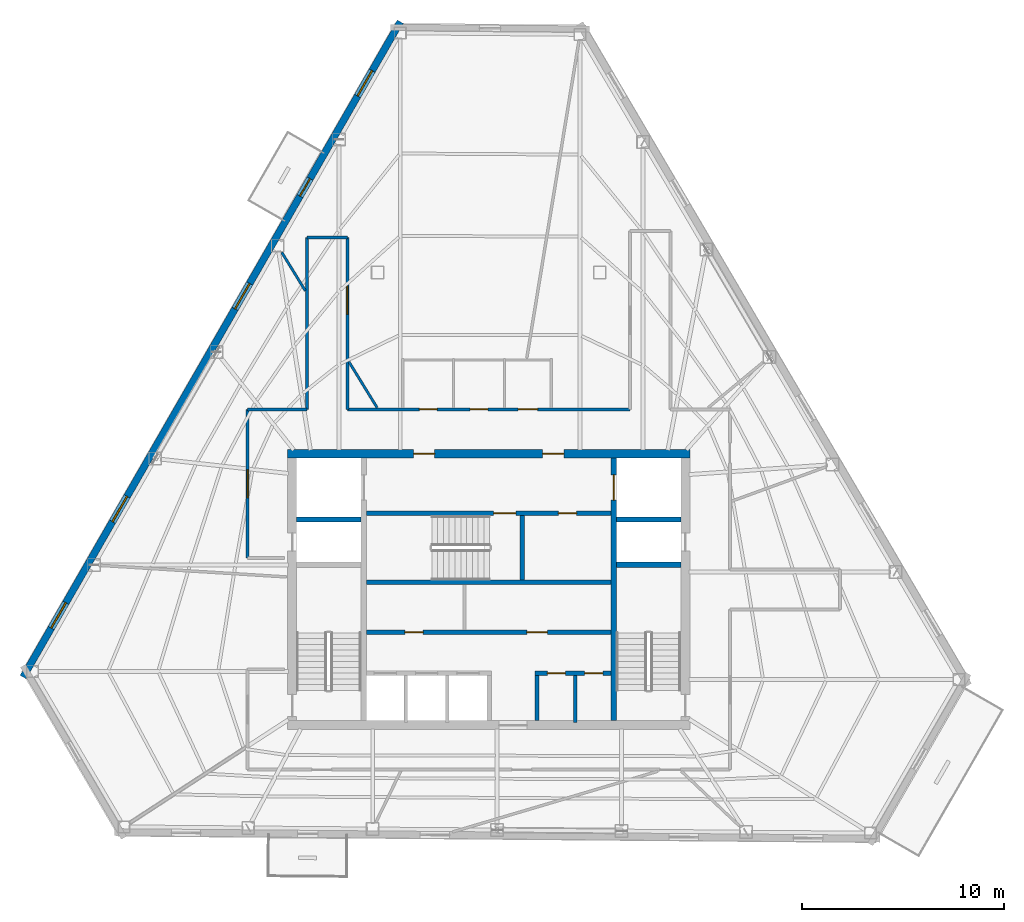
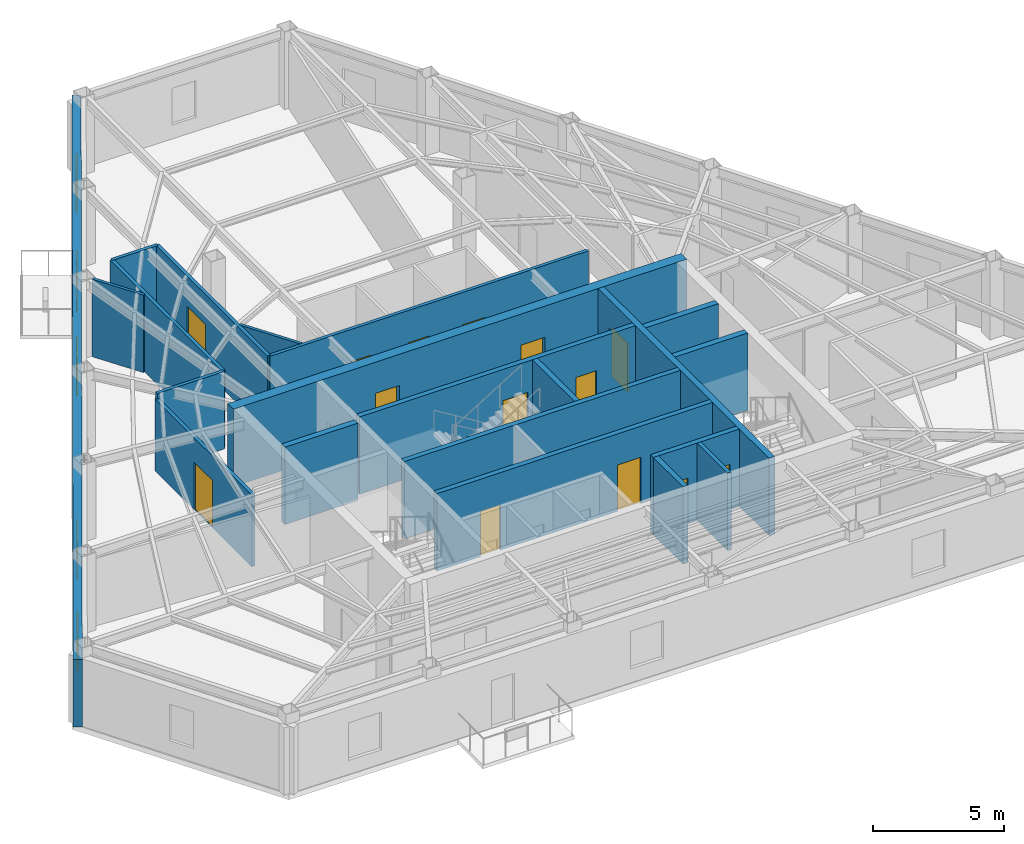
# One storey, part 8 of 12: 21 walls, 15 doors, 4 windows, 19 openings.
"""IFC4 building model written with IfcOpenShell, lengths in metres."""

from ifc_helpers import new_model, si_unit, direction, frame, frame_2d, origin, place, context, subcontext, project, spatial, rectangle, extrude, material, layer, layer_set, type_object, element, fill, save


model = new_model("IFC4")

# Units and contexts
model_context = context("Model", 3, precision=1e-05, world=origin(), true_north=direction((0.0, 1.0)))
body_context = subcontext(model_context, "Body", "Model", "MODEL_VIEW")
ifc_project = project(units=[si_unit("LENGTHUNIT", "METRE"), si_unit("AREAUNIT", "SQUARE_METRE"), si_unit("VOLUMEUNIT", "CUBIC_METRE"), si_unit("PLANEANGLEUNIT", "RADIAN"), si_unit("MASSUNIT", "GRAM", prefix="KILO")], contexts=[model_context])

# Site, building, storey
site_placement = place(None, origin())
site = spatial("IfcSite", under=ifc_project, at=site_placement, CompositionType="ELEMENT")
building_placement = place(site_placement, origin())
building = spatial("IfcBuilding", under=site, at=building_placement, Name="Kavelnor Concourse Tower", CompositionType="ELEMENT")
storey_placement = place(building_placement, frame((0.0, 0.0, 191.949951171875)))
storey = spatial("IfcBuildingStorey", under=building, at=storey_placement, Name="L48", CompositionType="ELEMENT", Elevation=191.949951171875)

# Wall, openings, doors
ifc_material_1 = material(Name="Concrete C50/60", Category="concrete")
ifc_layer_1 = layer(ifc_material_1, 0.43994140625, Name="Concrete C50/60")
ifc_layer_set_1 = layer_set([ifc_layer_1], Name="Concrete C50/60")
wall_type_1 = type_object("IfcWallType", Name="WL-CORE-Z3-440", PredefinedType="SOLIDWALL", material=ifc_layer_set_1)
wall_1_placement = place(storey_placement, frame((28.0400390625, 22.820068359375, 0.0), z_axis=(0.0, 0.0, 1.0), x_axis=(1.0, 0.0, 0.0)))
wall_1 = element("IfcWall", 1, at=wall_1_placement, inside=storey, type_object=wall_type_1, Name="L48 Central Core North Shear Wall", PredefinedType="SOLIDWALL", context=body_context, shape_type="SweptSolid", body=[
    extrude(rectangle(XDim=19.919921875, YDim=0.43994140625, at=frame_2d((9.9599609375, 0.0))), origin(), (0.0, 0.0, 1.0), 3.60009765625),
])
opening_1_placement = place(wall_1_placement, frame((6.235107421875, 0.0, 0.0)))
opening_1 = element("IfcOpeningElement", 2, at=opening_1_placement, cuts=wall_1, Name="Opening FD-105", PredefinedType="OPENING", context=body_context, shape_type="SweptSolid", body=[
    extrude(rectangle(XDim=1.050048828125, YDim=2.14990234375, at=frame_2d((0.52490234375, 1.074951171875))), frame((0.0, 0.22998046875, 0.0), z_axis=(0.0, -1.0, 0.0), x_axis=(1.0, 0.0, 0.0)), (0.0, 0.0, 1.0), 0.4599609375),
])
opening_2_placement = place(wall_1_placement, frame((12.635009765625, 0.0, 0.0)))
opening_2 = element("IfcOpeningElement", 3, at=opening_2_placement, cuts=wall_1, Name="Opening FD-105", PredefinedType="OPENING", context=body_context, shape_type="SweptSolid", body=[
    extrude(rectangle(XDim=1.050048828125, YDim=2.14990234375, at=frame_2d((0.52490234375, 1.074951171875))), frame((0.0, 0.22998046875, 0.0), z_axis=(0.0, -1.0, 0.0), x_axis=(1.0, 0.0, 0.0)), (0.0, 0.0, 1.0), 0.4599609375),
])
ifc_material_2 = material(Name="Steel Grade 350", Category="steel")
door_type_1 = type_object("IfcDoorType", Name="DR-LOBBY-FIRE-1050", OperationType="NOTDEFINED", PredefinedType="DOOR", material=ifc_material_2)
door_1_placement = place(opening_1_placement, origin())
door_1 = element("IfcDoor", 4, at=door_1_placement, inside=storey, type_object=door_type_1, Name="L48 Emergency Lift Lobby West Door", OperationType="SINGLE_SWING_LEFT", OverallHeight=2.14990234375, OverallWidth=1.050048828125, PredefinedType="DOOR", context=body_context, shape_type="SweptSolid", body=[
    extrude(rectangle(XDim=1.050048828125, YDim=2.14990234375, at=frame_2d((0.52490234375, 1.074951171875))), frame((0.0, 0.02490234375, 0.0), z_axis=(0.0, -1.0, 0.0), x_axis=(1.0, 0.0, 0.0)), (0.0, 0.0, 1.0), 0.050048828125),
])
fill(opening_1, door_1)
door_2_placement = place(opening_2_placement, origin())
door_2 = element("IfcDoor", 5, at=door_2_placement, inside=storey, type_object=door_type_1, Name="L48 Emergency Lift Lobby East Door", OperationType="SINGLE_SWING_RIGHT", OverallHeight=2.14990234375, OverallWidth=1.050048828125, PredefinedType="DOOR", context=body_context, shape_type="SweptSolid", body=[
    extrude(rectangle(XDim=1.050048828125, YDim=2.14990234375, at=frame_2d((0.52490234375, 1.074951171875))), frame((0.0, 0.02490234375, 0.0), z_axis=(0.0, -1.0, 0.0), x_axis=(1.0, 0.0, 0.0)), (0.0, 0.0, 1.0), 0.050048828125),
])
fill(opening_2, door_2)

# Wall, openings, door, windows
ifc_material_3 = material(Name="Red-ochre clay face brick masonry", Category="masonry")
ifc_layer_2 = layer(ifc_material_3, 0.35009765625, Name="Red-ochre clay face brick masonry")
ifc_layer_set_2 = layer_set([ifc_layer_2], Name="Red-ochre clay face brick masonry")
wall_type_2 = type_object("IfcWallType", Name="WL-EXT-RED-BRICK-PIER-350", PredefinedType="STANDARD", material=ifc_layer_set_2)
wall_2_placement = place(storey_placement, frame((14.93994140625, 11.762939453125, 0.0), z_axis=(0.0, 0.0, 1.0), x_axis=(0.498943522518, 0.866634502739, 0.0)))
wall_2 = element("IfcWall", 6, at=wall_2_placement, inside=storey, type_object=wall_type_2, Name="L48 Exterior Brick Facade Wall E1", PredefinedType="STANDARD", context=body_context, shape_type="SweptSolid", body=[
    extrude(rectangle(XDim=37.4453125, YDim=0.35009765625, at=frame_2d((18.72265625, 0.0))), origin(), (0.0, 0.0, 1.0), 3.132080078125),
])
opening_3_placement = place(wall_2_placement, frame((27.48388671875, 0.0, 0.0)))
opening_3 = element("IfcOpeningElement", 7, at=opening_3_placement, cuts=wall_2, Name="Opening BD-100", PredefinedType="OPENING", context=body_context, shape_type="SweptSolid", body=[
    extrude(rectangle(XDim=1.0, YDim=2.199951171875, at=frame_2d((0.5, 1.10009765625))), frame((0.0, 0.18505859375, 0.0), z_axis=(0.0, -1.0, 0.0), x_axis=(1.0, 0.0, 0.0)), (0.0, 0.0, 1.0), 0.3701171875),
])
opening_4_placement = place(wall_2_placement, frame((33.19970703125, 0.0, 0.64990234375)))
opening_4 = element("IfcOpeningElement", 8, at=opening_4_placement, cuts=wall_2, Name="Opening W-03", PredefinedType="OPENING", context=body_context, shape_type="SweptSolid", body=[
    extrude(rectangle(XDim=1.449951171875, YDim=1.75, at=frame_2d((0.72509765625, 0.875))), frame((0.0, 0.18505859375, 0.0), z_axis=(0.0, -1.0, 0.0), x_axis=(1.0, 0.0, 0.0)), (0.0, 0.0, 1.0), 0.3701171875),
])
opening_5_placement = place(wall_2_placement, frame((21.03759765625, 0.0, 0.64990234375)))
opening_5 = element("IfcOpeningElement", 9, at=opening_5_placement, cuts=wall_2, Name="Opening W-03", PredefinedType="OPENING", context=body_context, shape_type="SweptSolid", body=[
    extrude(rectangle(XDim=1.449951171875, YDim=1.75, at=frame_2d((0.72509765625, 0.875))), frame((0.0, 0.18505859375, 0.0), z_axis=(0.0, -1.0, 0.0), x_axis=(1.0, 0.0, 0.0)), (0.0, 0.0, 1.0), 0.3701171875),
])
opening_6_placement = place(wall_2_placement, frame((8.87548828125, 0.0, 0.64990234375)))
opening_6 = element("IfcOpeningElement", 10, at=opening_6_placement, cuts=wall_2, Name="Opening W-03", PredefinedType="OPENING", context=body_context, shape_type="SweptSolid", body=[
    extrude(rectangle(XDim=1.449951171875, YDim=1.75, at=frame_2d((0.72509765625, 0.875))), frame((0.0, 0.18505859375, 0.0), z_axis=(0.0, -1.0, 0.0), x_axis=(1.0, 0.0, 0.0)), (0.0, 0.0, 1.0), 0.3701171875),
])
opening_7_placement = place(wall_2_placement, frame((2.794677734375, 0.0, 0.64990234375)))
opening_7 = element("IfcOpeningElement", 11, at=opening_7_placement, cuts=wall_2, Name="Opening W-03", PredefinedType="OPENING", context=body_context, shape_type="SweptSolid", body=[
    extrude(rectangle(XDim=1.449951171875, YDim=1.75, at=frame_2d((0.72509765625, 0.875))), frame((0.0, 0.18505859375, 0.0), z_axis=(0.0, -1.0, 0.0), x_axis=(1.0, 0.0, 0.0)), (0.0, 0.0, 1.0), 0.3701171875),
])
ifc_material_4 = material(Name="Anodised aluminium 6063-T6", Category="aluminium")
door_type_2 = type_object("IfcDoorType", Name="DR-BALCONY-EXT-1000", OperationType="NOTDEFINED", PredefinedType="DOOR", material=ifc_material_4)
door_3_placement = place(opening_3_placement, origin())
door_3 = element("IfcDoor", 12, at=door_3_placement, inside=storey, type_object=door_type_2, Name="L48 Tree Balcony 1 Glazed Door", OperationType="SINGLE_SWING_LEFT", OverallHeight=2.199951171875, OverallWidth=1.0, PredefinedType="DOOR", context=body_context, shape_type="SweptSolid", body=[
    extrude(rectangle(XDim=1.0, YDim=2.199951171875, at=frame_2d((0.5, 1.10009765625))), frame((0.0, 0.02490234375, 0.0), z_axis=(0.0, -1.0, 0.0), x_axis=(1.0, 0.0, 0.0)), (0.0, 0.0, 1.0), 0.050048828125),
])
fill(opening_3, door_3)
ifc_material_5 = material(Name="Double low-E argon insulated glazing", Category="glass")
window_type = type_object("IfcWindowType", Name="WIN-PIER-Z3-1500", PartitioningType="SINGLE_PANEL", PredefinedType="WINDOW", material=ifc_material_5)
window_1_placement = place(opening_4_placement, origin())
window_1 = element("IfcWindow", 13, at=window_1_placement, inside=storey, type_object=window_type, Name="L48 Deep-Set Brick Pier Window F0-B0", OverallHeight=1.75, OverallWidth=1.449951171875, PartitioningType="SINGLE_PANEL", PredefinedType="WINDOW", context=body_context, shape_type="SweptSolid", body=[
    extrude(rectangle(XDim=1.449951171875, YDim=1.75, at=frame_2d((0.72509765625, 0.875))), frame((0.0, 0.030029296875, 0.0), z_axis=(0.0, -1.0, 0.0), x_axis=(1.0, 0.0, 0.0)), (0.0, 0.0, 1.0), 0.06005859375),
])
fill(opening_4, window_1)
window_2_placement = place(opening_5_placement, origin())
window_2 = element("IfcWindow", 14, at=window_2_placement, inside=storey, type_object=window_type, Name="L48 Deep-Set Brick Pier Window F0-B2", OverallHeight=1.75, OverallWidth=1.449951171875, PartitioningType="SINGLE_PANEL", PredefinedType="WINDOW", context=body_context, shape_type="SweptSolid", body=[
    extrude(rectangle(XDim=1.449951171875, YDim=1.75, at=frame_2d((0.72509765625, 0.875))), frame((0.0, 0.030029296875, 0.0), z_axis=(0.0, -1.0, 0.0), x_axis=(1.0, 0.0, 0.0)), (0.0, 0.0, 1.0), 0.06005859375),
])
fill(opening_5, window_2)
window_3_placement = place(opening_6_placement, origin())
window_3 = element("IfcWindow", 15, at=window_3_placement, inside=storey, type_object=window_type, Name="L48 Deep-Set Brick Pier Window F0-B4", OverallHeight=1.75, OverallWidth=1.449951171875, PartitioningType="SINGLE_PANEL", PredefinedType="WINDOW", context=body_context, shape_type="SweptSolid", body=[
    extrude(rectangle(XDim=1.449951171875, YDim=1.75, at=frame_2d((0.72509765625, 0.875))), frame((0.0, 0.030029296875, 0.0), z_axis=(0.0, -1.0, 0.0), x_axis=(1.0, 0.0, 0.0)), (0.0, 0.0, 1.0), 0.06005859375),
])
fill(opening_6, window_3)
window_4_placement = place(opening_7_placement, origin())
window_4 = element("IfcWindow", 16, at=window_4_placement, inside=storey, type_object=window_type, Name="L48 Deep-Set Brick Pier Window F0-B5", OverallHeight=1.75, OverallWidth=1.449951171875, PartitioningType="SINGLE_PANEL", PredefinedType="WINDOW", context=body_context, shape_type="SweptSolid", body=[
    extrude(rectangle(XDim=1.449951171875, YDim=1.75, at=frame_2d((0.72509765625, 0.875))), frame((0.0, 0.030029296875, 0.0), z_axis=(0.0, -1.0, 0.0), x_axis=(1.0, 0.0, 0.0)), (0.0, 0.0, 1.0), 0.06005859375),
])
fill(opening_7, window_4)

# Wall, opening, door
ifc_material_6 = material(Name="Gypsum plasterboard on light-gauge steel studs", Category="steel")
ifc_layer_3 = layer(ifc_material_6, 0.14501953125, Name="Gypsum plasterboard on light-gauge steel studs")
ifc_layer_set_3 = layer_set([ifc_layer_3], Name="Gypsum plasterboard on light-gauge steel studs")
wall_type_3 = type_object("IfcWallType", Name="WL-INT-CORR-145", PredefinedType="PARTITIONING", material=ifc_layer_set_3)
wall_3_placement = place(storey_placement, frame((26.06005859375, 17.64990234375, 0.0), z_axis=(0.0, 0.0, 1.0), x_axis=(0.0, 1.0, 0.0)))
wall_3 = element("IfcWall", 17, at=wall_3_placement, inside=storey, type_object=wall_type_3, Name="L48 Corridor Wall WL-L48-CR-02", PredefinedType="PARTITIONING", context=body_context, shape_type="SweptSolid", body=[
    extrude(rectangle(XDim=7.3701171875, YDim=0.14501953125, at=frame_2d((3.68505859375, 0.0))), origin(), (0.0, 0.0, 1.0), 3.339111328125),
])
opening_8_placement = place(wall_3_placement, frame((2.985107421875, 0.0, 0.0)))
opening_8 = element("IfcOpeningElement", 18, at=opening_8_placement, cuts=wall_3, Name="Opening SD-140", PredefinedType="OPENING", context=body_context, shape_type="SweptSolid", body=[
    extrude(rectangle(XDim=1.39990234375, YDim=2.199951171875, at=frame_2d((0.699951171875, 1.10009765625))), frame((0.0, 0.08251953125, 0.0), z_axis=(0.0, -1.0, 0.0), x_axis=(1.0, 0.0, 0.0)), (0.0, 0.0, 1.0), 0.1650390625),
])
ifc_material_7 = material(Name="Solid-core hardwood timber", Category="wood")
door_type_3 = type_object("IfcDoorType", Name="DR-SUITE-ENTRY-1400", OperationType="NOTDEFINED", PredefinedType="DOOR", material=ifc_material_7)
door_4_placement = place(opening_8_placement, origin())
door_4 = element("IfcDoor", 19, at=door_4_placement, inside=storey, type_object=door_type_3, Name="L48 Building Staff Breakroom 04 Door", OperationType="SINGLE_SWING_LEFT", OverallHeight=2.199951171875, OverallWidth=1.39990234375, PredefinedType="DOOR", context=body_context, shape_type="SweptSolid", body=[
    extrude(rectangle(XDim=1.39990234375, YDim=2.199951171875, at=frame_2d((0.699951171875, 1.10009765625))), frame((0.0, 0.02490234375, 0.0), z_axis=(0.0, -1.0, 0.0), x_axis=(1.0, 0.0, 0.0)), (0.0, 0.0, 1.0), 0.050048828125),
])
fill(opening_8, door_4)

# Walls
wall_4_placement = place(storey_placement, frame((26.06005859375, 25.02001953125, 0.0), z_axis=(0.0, 0.0, 1.0), x_axis=(1.0, 0.0, 0.0)))
element("IfcWall", 20, at=wall_4_placement, inside=storey, type_object=wall_type_3, Name="L48 Corridor Wall WL-L48-CR-03", PredefinedType="PARTITIONING", context=body_context, shape_type="SweptSolid", body=[
    extrude(rectangle(XDim=2.93994140625, YDim=0.14501953125, at=frame_2d((1.469970703125, 0.0))), origin(), (0.0, 0.0, 1.0), 3.60009765625),
])
wall_5_placement = place(storey_placement, frame((29.0, 25.02001953125, 0.0), z_axis=(0.0, 0.0, 1.0), x_axis=(0.0, 1.0, 0.0)))
element("IfcWall", 21, at=wall_5_placement, inside=storey, type_object=wall_type_3, Name="L48 Corridor Wall WL-L48-CR-04", PredefinedType="PARTITIONING", context=body_context, shape_type="SweptSolid", body=[
    extrude(rectangle(XDim=8.50537109375, YDim=0.14501953125, at=frame_2d((4.252685546875, 0.0))), origin(), (0.0, 0.0, 1.0), 3.60009765625),
])
wall_6_placement = place(storey_placement, frame((29.0, 33.525390625, 0.0), z_axis=(0.0, 0.0, 1.0), x_axis=(1.0, 0.0, 0.0)))
element("IfcWall", 22, at=wall_6_placement, inside=storey, type_object=wall_type_3, Name="L48 Corridor Wall WL-L48-CR-05", PredefinedType="PARTITIONING", context=body_context, shape_type="SweptSolid", body=[
    extrude(rectangle(XDim=2.0, YDim=0.14501953125, at=frame_2d((1.0, 0.0))), origin(), (0.0, 0.0, 1.0), 3.60009765625),
])

# Wall, opening, door
wall_7_placement = place(storey_placement, frame((31.0, 33.525390625, 0.0), z_axis=(0.0, 0.0, 1.0), x_axis=(0.0, -1.0, 0.0)))
wall_7 = element("IfcWall", 23, at=wall_7_placement, inside=storey, type_object=wall_type_3, Name="L48 Corridor Wall WL-L48-CR-06", PredefinedType="PARTITIONING", context=body_context, shape_type="SweptSolid", body=[
    extrude(rectangle(XDim=8.50537109375, YDim=0.14501953125, at=frame_2d((4.252685546875, 0.0))), origin(), (0.0, 0.0, 1.0), 3.60009765625),
])
opening_9_placement = place(wall_7_placement, frame((2.401611328125, 0.0, 0.0)))
opening_9 = element("IfcOpeningElement", 24, at=opening_9_placement, cuts=wall_7, Name="Opening SD-140", PredefinedType="OPENING", context=body_context, shape_type="SweptSolid", body=[
    extrude(rectangle(XDim=1.39990234375, YDim=2.199951171875, at=frame_2d((0.699951171875, 1.10009765625))), frame((0.0, 0.08251953125, 0.0), z_axis=(0.0, -1.0, 0.0), x_axis=(1.0, 0.0, 0.0)), (0.0, 0.0, 1.0), 0.1650390625),
])
door_5_placement = place(opening_9_placement, origin())
door_5 = element("IfcDoor", 25, at=door_5_placement, inside=storey, type_object=door_type_3, Name="L48 Tenant Bookstore Retail Shop 03 Door", OperationType="SINGLE_SWING_RIGHT", OverallHeight=2.199951171875, OverallWidth=1.39990234375, PredefinedType="DOOR", context=body_context, shape_type="SweptSolid", body=[
    extrude(rectangle(XDim=1.39990234375, YDim=2.199951171875, at=frame_2d((0.699951171875, 1.10009765625))), frame((0.0, 0.02490234375, 0.0), z_axis=(0.0, -1.0, 0.0), x_axis=(1.0, 0.0, 0.0)), (0.0, 0.0, 1.0), 0.050048828125),
])
fill(opening_9, door_5)

# Wall, openings, doors
wall_8_placement = place(storey_placement, frame((31.0, 25.02001953125, 0.0), z_axis=(0.0, 0.0, 1.0), x_axis=(1.0, 0.0, 0.0)))
wall_8 = element("IfcWall", 26, at=wall_8_placement, inside=storey, type_object=wall_type_3, Name="L48 Corridor Wall WL-L48-CR-07", PredefinedType="PARTITIONING", context=body_context, shape_type="SweptSolid", body=[
    extrude(rectangle(XDim=14.0, YDim=0.14501953125, at=frame_2d((7.0, 0.0))), origin(), (0.0, 0.0, 1.0), 3.60009765625),
])
opening_10_placement = place(wall_8_placement, frame((3.56005859375, 0.0, 0.0)))
opening_10 = element("IfcOpeningElement", 27, at=opening_10_placement, cuts=wall_8, Name="Opening WD-088", PredefinedType="OPENING", context=body_context, shape_type="SweptSolid", body=[
    extrude(rectangle(XDim=0.8798828125, YDim=2.10009765625, at=frame_2d((0.43994140625, 1.050048828125))), frame((0.0, 0.08251953125, 0.0), z_axis=(0.0, -1.0, 0.0), x_axis=(1.0, 0.0, 0.0)), (0.0, 0.0, 1.0), 0.1650390625),
])
opening_11_placement = place(wall_8_placement, frame((6.080078125, 0.0, 0.0)))
opening_11 = element("IfcOpeningElement", 28, at=opening_11_placement, cuts=wall_8, Name="Opening WD-088", PredefinedType="OPENING", context=body_context, shape_type="SweptSolid", body=[
    extrude(rectangle(XDim=0.8798828125, YDim=2.10009765625, at=frame_2d((0.43994140625, 1.050048828125))), frame((0.0, 0.08251953125, 0.0), z_axis=(0.0, -1.0, 0.0), x_axis=(1.0, 0.0, 0.0)), (0.0, 0.0, 1.0), 0.1650390625),
])
opening_12_placement = place(wall_8_placement, frame((8.4599609375, 0.0, 0.0)))
opening_12 = element("IfcOpeningElement", 29, at=opening_12_placement, cuts=wall_8, Name="Opening WD-096", PredefinedType="OPENING", context=body_context, shape_type="SweptSolid", body=[
    extrude(rectangle(XDim=0.9599609375, YDim=2.10009765625, at=frame_2d((0.47998046875, 1.050048828125))), frame((0.0, 0.08251953125, 0.0), z_axis=(0.0, -1.0, 0.0), x_axis=(1.0, 0.0, 0.0)), (0.0, 0.0, 1.0), 0.1650390625),
])
door_type_4 = type_object("IfcDoorType", Name="DR-WC-ACC-960", OperationType="NOTDEFINED", PredefinedType="DOOR", material=ifc_material_7)
door_6_placement = place(opening_12_placement, origin())
door_6 = element("IfcDoor", 30, at=door_6_placement, inside=storey, type_object=door_type_4, Name="L48 Accessible WC Door", OperationType="SINGLE_SWING_RIGHT", OverallHeight=2.10009765625, OverallWidth=0.9599609375, PredefinedType="DOOR", context=body_context, shape_type="SweptSolid", body=[
    extrude(rectangle(XDim=0.9599609375, YDim=2.10009765625, at=frame_2d((0.47998046875, 1.050048828125))), frame((0.0, 0.02490234375, 0.0), z_axis=(0.0, -1.0, 0.0), x_axis=(1.0, 0.0, 0.0)), (0.0, 0.0, 1.0), 0.050048828125),
])
fill(opening_12, door_6)
door_type_5 = type_object("IfcDoorType", Name="DR-WC-STD-880", OperationType="NOTDEFINED", PredefinedType="DOOR", material=ifc_material_7)
door_7_placement = place(opening_10_placement, origin())
door_7 = element("IfcDoor", 31, at=door_7_placement, inside=storey, type_object=door_type_5, Name="L48 Male WC Door", OperationType="SINGLE_SWING_RIGHT", OverallHeight=2.10009765625, OverallWidth=0.8798828125, PredefinedType="DOOR", context=body_context, shape_type="SweptSolid", body=[
    extrude(rectangle(XDim=0.8798828125, YDim=2.10009765625, at=frame_2d((0.43994140625, 1.050048828125))), frame((0.0, 0.02490234375, 0.0), z_axis=(0.0, -1.0, 0.0), x_axis=(1.0, 0.0, 0.0)), (0.0, 0.0, 1.0), 0.050048828125),
])
fill(opening_10, door_7)
door_8_placement = place(opening_11_placement, origin())
door_8 = element("IfcDoor", 32, at=door_8_placement, inside=storey, type_object=door_type_5, Name="L48 Female WC Door", OperationType="SINGLE_SWING_LEFT", OverallHeight=2.10009765625, OverallWidth=0.8798828125, PredefinedType="DOOR", context=body_context, shape_type="SweptSolid", body=[
    extrude(rectangle(XDim=0.8798828125, YDim=2.10009765625, at=frame_2d((0.43994140625, 1.050048828125))), frame((0.0, 0.02490234375, 0.0), z_axis=(0.0, -1.0, 0.0), x_axis=(1.0, 0.0, 0.0)), (0.0, 0.0, 1.0), 0.050048828125),
])
fill(opening_11, door_8)

# Walls
ifc_layer_4 = layer(ifc_material_6, 0.1650390625, Name="Gypsum plasterboard on light-gauge steel studs")
ifc_layer_set_4 = layer_set([ifc_layer_4], Name="Gypsum plasterboard on light-gauge steel studs")
wall_type_4 = type_object("IfcWallType", Name="WL-INT-FIRE-165", PredefinedType="PARTITIONING", material=ifc_layer_set_4)
wall_9_placement = place(storey_placement, frame((42.280029296875, 9.52001953125, 0.0), z_axis=(0.0, 0.0, 1.0), x_axis=(0.0, 1.0, 0.0)))
element("IfcWall", 33, at=wall_9_placement, inside=storey, type_object=wall_type_4, Name="L48 Core Support Divider", PredefinedType="PARTITIONING", context=body_context, shape_type="SweptSolid", body=[
    extrude(rectangle(XDim=2.320068359375, YDim=0.1650390625, at=frame_2d((1.16015625, 0.0))), origin(), (0.0, 0.0, 1.0), 3.60009765625),
])
ifc_layer_5 = layer(ifc_material_6, 0.125, Name="Gypsum plasterboard on light-gauge steel studs")
ifc_layer_set_5 = layer_set([ifc_layer_5], Name="Gypsum plasterboard on light-gauge steel studs")
wall_type_5 = type_object("IfcWallType", Name="WL-INT-SUITE-125", PredefinedType="PARTITIONING", material=ifc_layer_set_5)
wall_10_placement = place(storey_placement, frame((32.474609375, 25.1005859375, 0.0), z_axis=(0.0, 0.0, 1.0), x_axis=(-0.52318715373, 0.852217813808, 0.0)))
element("IfcWall", 34, at=wall_10_placement, inside=storey, type_object=wall_type_5, Name="L48 Radial Suite Partition 04", PredefinedType="PARTITIONING", context=body_context, shape_type="SweptSolid", body=[
    extrude(rectangle(XDim=2.66455078125, YDim=0.125, at=frame_2d((1.332275390625, 0.0))), origin(), (0.0, 0.0, 1.0), 3.60009765625),
])
wall_11_placement = place(storey_placement, frame((28.91943359375, 30.8916015625, 0.0), z_axis=(0.0, 0.0, 1.0), x_axis=(-0.523164171822, 0.852231922262, 0.0)))
element("IfcWall", 35, at=wall_11_placement, inside=storey, type_object=wall_type_5, Name="L48 Radial Suite Partition 04", PredefinedType="PARTITIONING", context=body_context, shape_type="SweptSolid", body=[
    extrude(rectangle(XDim=2.23388671875, YDim=0.125, at=frame_2d((1.116943359375, 0.0))), origin(), (0.0, 0.0, 1.0), 3.60009765625),
])

# Wall, openings, doors
ifc_layer_6 = layer(ifc_material_1, 0.219970703125, Name="Concrete C50/60")
ifc_layer_set_6 = layer_set([ifc_layer_6], Name="Concrete C50/60")
wall_type_6 = type_object("IfcWallType", Name="WL-SHAFT-220", PredefinedType="SOLIDWALL", material=ifc_layer_set_6)
wall_12_placement = place(storey_placement, frame((31.93994140625, 19.8701171875, 0.0), z_axis=(0.0, 0.0, 1.0), x_axis=(1.0, 0.0, 0.0)))
wall_12 = element("IfcWall", 36, at=wall_12_placement, inside=storey, type_object=wall_type_6, Name="L48 Emergency Lift Lobby South Wall", PredefinedType="SOLIDWALL", context=body_context, shape_type="SweptSolid", body=[
    extrude(rectangle(XDim=12.1201171875, YDim=0.219970703125, at=frame_2d((6.06005859375, 0.0))), origin(), (0.0, 0.0, 1.0), 3.60009765625),
])
opening_13_placement = place(wall_12_placement, frame((6.300048828125, 0.0, 0.0)))
opening_13 = element("IfcOpeningElement", 37, at=opening_13_placement, cuts=wall_12, Name="Opening FD-110", PredefinedType="OPENING", context=body_context, shape_type="SweptSolid", body=[
    extrude(rectangle(XDim=1.10009765625, YDim=2.14990234375, at=frame_2d((0.550048828125, 1.074951171875))), frame((0.0, 0.1201171875, 0.0), z_axis=(0.0, -1.0, 0.0), x_axis=(1.0, 0.0, 0.0)), (0.0, 0.0, 1.0), 0.239990234375),
])
opening_14_placement = place(wall_12_placement, frame((9.510009765625, 0.0, 0.0)))
opening_14 = element("IfcOpeningElement", 38, at=opening_14_placement, cuts=wall_12, Name="Opening FD-090", PredefinedType="OPENING", context=body_context, shape_type="SweptSolid", body=[
    extrude(rectangle(XDim=0.89990234375, YDim=2.10009765625, at=frame_2d((0.449951171875, 1.050048828125))), frame((0.0, 0.1201171875, 0.0), z_axis=(0.0, -1.0, 0.0), x_axis=(1.0, 0.0, 0.0)), (0.0, 0.0, 1.0), 0.239990234375),
])
door_type_6 = type_object("IfcDoorType", Name="DR-RISER-FIRE-900", OperationType="NOTDEFINED", PredefinedType="DOOR", material=ifc_material_2)
door_9_placement = place(opening_14_placement, origin())
door_9 = element("IfcDoor", 39, at=door_9_placement, inside=storey, type_object=door_type_6, Name="L48 Electrical Comms Door", OperationType="SINGLE_SWING_LEFT", OverallHeight=2.10009765625, OverallWidth=0.89990234375, PredefinedType="DOOR", context=body_context, shape_type="SweptSolid", body=[
    extrude(rectangle(XDim=0.89990234375, YDim=2.10009765625, at=frame_2d((0.449951171875, 1.050048828125))), frame((0.0, 0.02490234375, 0.0), z_axis=(0.0, -1.0, 0.0), x_axis=(1.0, 0.0, 0.0)), (0.0, 0.0, 1.0), 0.050048828125),
])
fill(opening_14, door_9)
door_type_7 = type_object("IfcDoorType", Name="DR-STAIR-FIRE-1100", OperationType="NOTDEFINED", PredefinedType="DOOR", material=ifc_material_2)
door_10_placement = place(opening_13_placement, origin())
door_10 = element("IfcDoor", 40, at=door_10_placement, inside=storey, type_object=door_type_7, Name="L48 Stair ST3 Fire Door", OperationType="SINGLE_SWING_LEFT", OverallHeight=2.14990234375, OverallWidth=1.10009765625, PredefinedType="DOOR", context=body_context, shape_type="SweptSolid", body=[
    extrude(rectangle(XDim=1.10009765625, YDim=2.14990234375, at=frame_2d((0.550048828125, 1.074951171875))), frame((0.0, 0.02490234375, 0.0), z_axis=(0.0, -1.0, 0.0), x_axis=(1.0, 0.0, 0.0)), (0.0, 0.0, 1.0), 0.050048828125),
])
fill(opening_13, door_10)

# Walls
wall_13_placement = place(storey_placement, frame((31.93994140625, 16.449951171875, 0.0), z_axis=(0.0, 0.0, 1.0), x_axis=(1.0, 0.0, 0.0)))
element("IfcWall", 41, at=wall_13_placement, inside=storey, type_object=wall_type_6, Name="L48 Stair ST3 South Core Wall", PredefinedType="SOLIDWALL", context=body_context, shape_type="SweptSolid", body=[
    extrude(rectangle(XDim=12.1201171875, YDim=0.219970703125, at=frame_2d((6.06005859375, 0.0))), origin(), (0.0, 0.0, 1.0), 3.60009765625),
])
wall_14_placement = place(storey_placement, frame((39.64990234375, 16.56005859375, 0.0), z_axis=(0.0, 0.0, 1.0), x_axis=(0.0, 1.0, 0.0)))
element("IfcWall", 42, at=wall_14_placement, inside=storey, type_object=wall_type_6, Name="L48 Stair ST3 East Core Wall", PredefinedType="SOLIDWALL", context=body_context, shape_type="SweptSolid", body=[
    extrude(rectangle(XDim=3.199951171875, YDim=0.219970703125, at=frame_2d((1.60009765625, 0.0))), origin(), (0.0, 0.0, 1.0), 3.60009765625),
])

# Wall, openings, doors
wall_15_placement = place(storey_placement, frame((31.93994140625, 13.989990234375, 0.0), z_axis=(0.0, 0.0, 1.0), x_axis=(1.0, 0.0, 0.0)))
wall_15 = element("IfcWall", 43, at=wall_15_placement, inside=storey, type_object=wall_type_6, Name="L48 North Lift Row Shaft Wall", PredefinedType="SOLIDWALL", context=body_context, shape_type="SweptSolid", body=[
    extrude(rectangle(XDim=12.1201171875, YDim=0.219970703125, at=frame_2d((6.06005859375, 0.0))), origin(), (0.0, 0.0, 1.0), 3.60009765625),
])
opening_15_placement = place(wall_15_placement, frame((1.909912109375, 0.0, 0.0)))
opening_15 = element("IfcOpeningElement", 44, at=opening_15_placement, cuts=wall_15, Name="Opening FD-090", PredefinedType="OPENING", context=body_context, shape_type="SweptSolid", body=[
    extrude(rectangle(XDim=0.89990234375, YDim=2.10009765625, at=frame_2d((0.449951171875, 1.050048828125))), frame((0.0, 0.1201171875, 0.0), z_axis=(0.0, -1.0, 0.0), x_axis=(1.0, 0.0, 0.0)), (0.0, 0.0, 1.0), 0.239990234375),
])
opening_16_placement = place(wall_15_placement, frame((7.949951171875, 0.0, 0.0)))
opening_16 = element("IfcOpeningElement", 45, at=opening_16_placement, cuts=wall_15, Name="Opening MD-102", PredefinedType="OPENING", context=body_context, shape_type="SweptSolid", body=[
    extrude(rectangle(XDim=1.02001953125, YDim=2.14990234375, at=frame_2d((0.510009765625, 1.074951171875))), frame((0.0, 0.1201171875, 0.0), z_axis=(0.0, -1.0, 0.0), x_axis=(1.0, 0.0, 0.0)), (0.0, 0.0, 1.0), 0.239990234375),
])
ifc_material_8 = material(Name="Acoustic glazed timber frame", Category="wood")
door_type_8 = type_object("IfcDoorType", Name="DR-MEETING-1020", OperationType="NOTDEFINED", PredefinedType="DOOR", material=ifc_material_8)
door_11_placement = place(opening_16_placement, origin())
door_11 = element("IfcDoor", 46, at=door_11_placement, inside=storey, type_object=door_type_8, Name="L48 Briefing Room Door", OperationType="SINGLE_SWING_RIGHT", OverallHeight=2.14990234375, OverallWidth=1.02001953125, PredefinedType="DOOR", context=body_context, shape_type="SweptSolid", body=[
    extrude(rectangle(XDim=1.02001953125, YDim=2.14990234375, at=frame_2d((0.510009765625, 1.074951171875))), frame((0.0, 0.02490234375, 0.0), z_axis=(0.0, -1.0, 0.0), x_axis=(1.0, 0.0, 0.0)), (0.0, 0.0, 1.0), 0.050048828125),
])
fill(opening_16, door_11)
door_12_placement = place(opening_15_placement, origin())
door_12 = element("IfcDoor", 47, at=door_12_placement, inside=storey, type_object=door_type_6, Name="L48 IT Room Door", OperationType="SINGLE_SWING_LEFT", OverallHeight=2.10009765625, OverallWidth=0.89990234375, PredefinedType="DOOR", context=body_context, shape_type="SweptSolid", body=[
    extrude(rectangle(XDim=0.89990234375, YDim=2.10009765625, at=frame_2d((0.449951171875, 1.050048828125))), frame((0.0, 0.02490234375, 0.0), z_axis=(0.0, -1.0, 0.0), x_axis=(1.0, 0.0, 0.0)), (0.0, 0.0, 1.0), 0.050048828125),
])
fill(opening_15, door_12)

wall_16_placement = place(storey_placement, frame((40.280029296875, 11.949951171875, 0.0), z_axis=(0.0, 0.0, 1.0), x_axis=(1.0, 0.0, 0.0)))
wall_16 = element("IfcWall", 48, at=wall_16_placement, inside=storey, type_object=wall_type_6, Name="L48 Core South Support North Wall", PredefinedType="SOLIDWALL", context=body_context, shape_type="SweptSolid", body=[
    extrude(rectangle(XDim=3.780029296875, YDim=0.219970703125, at=frame_2d((1.89013671875, 0.0))), origin(), (0.0, 0.0, 1.0), 3.60009765625),
])
opening_17_placement = place(wall_16_placement, frame((0.6201171875, 0.0, 0.0)))
opening_17 = element("IfcOpeningElement", 49, at=opening_17_placement, cuts=wall_16, Name="Opening FD-090", PredefinedType="OPENING", context=body_context, shape_type="SweptSolid", body=[
    extrude(rectangle(XDim=0.89990234375, YDim=2.10009765625, at=frame_2d((0.449951171875, 1.050048828125))), frame((0.0, 0.1201171875, 0.0), z_axis=(0.0, -1.0, 0.0), x_axis=(1.0, 0.0, 0.0)), (0.0, 0.0, 1.0), 0.239990234375),
])
opening_18_placement = place(wall_16_placement, frame((2.469970703125, 0.0, 0.0)))
opening_18 = element("IfcOpeningElement", 50, at=opening_18_placement, cuts=wall_16, Name="Opening FD-090", PredefinedType="OPENING", context=body_context, shape_type="SweptSolid", body=[
    extrude(rectangle(XDim=0.89990234375, YDim=2.10009765625, at=frame_2d((0.449951171875, 1.050048828125))), frame((0.0, 0.1201171875, 0.0), z_axis=(0.0, -1.0, 0.0), x_axis=(1.0, 0.0, 0.0)), (0.0, 0.0, 1.0), 0.239990234375),
])
door_13_placement = place(opening_17_placement, origin())
door_13 = element("IfcDoor", 51, at=door_13_placement, inside=storey, type_object=door_type_6, Name="L48 Cleaner Cupboard Door", OperationType="SINGLE_SWING_RIGHT", OverallHeight=2.10009765625, OverallWidth=0.89990234375, PredefinedType="DOOR", context=body_context, shape_type="SweptSolid", body=[
    extrude(rectangle(XDim=0.89990234375, YDim=2.10009765625, at=frame_2d((0.449951171875, 1.050048828125))), frame((0.0, 0.02490234375, 0.0), z_axis=(0.0, -1.0, 0.0), x_axis=(1.0, 0.0, 0.0)), (0.0, 0.0, 1.0), 0.050048828125),
])
fill(opening_17, door_13)
door_14_placement = place(opening_18_placement, origin())
door_14 = element("IfcDoor", 52, at=door_14_placement, inside=storey, type_object=door_type_6, Name="L48 Supplies Store Door", OperationType="SINGLE_SWING_LEFT", OverallHeight=2.10009765625, OverallWidth=0.89990234375, PredefinedType="DOOR", context=body_context, shape_type="SweptSolid", body=[
    extrude(rectangle(XDim=0.89990234375, YDim=2.10009765625, at=frame_2d((0.449951171875, 1.050048828125))), frame((0.0, 0.02490234375, 0.0), z_axis=(0.0, -1.0, 0.0), x_axis=(1.0, 0.0, 0.0)), (0.0, 0.0, 1.0), 0.050048828125),
])
fill(opening_18, door_14)

# Wall
wall_17_placement = place(storey_placement, frame((40.389892578125, 9.60009765625, 0.0), z_axis=(0.0, 0.0, 1.0), x_axis=(0.0, 1.0, 0.0)))
element("IfcWall", 53, at=wall_17_placement, inside=storey, type_object=wall_type_6, Name="L48 Lift Lobby Throat East Wall", PredefinedType="SOLIDWALL", context=body_context, shape_type="SweptSolid", body=[
    extrude(rectangle(XDim=2.239990234375, YDim=0.219970703125, at=frame_2d((1.1201171875, 0.0))), origin(), (0.0, 0.0, 1.0), 3.60009765625),
])

# Wall, opening, door
ifc_layer_7 = layer(ifc_material_1, 0.260009765625, Name="Concrete C50/60")
ifc_layer_set_7 = layer_set([ifc_layer_7], Name="Concrete C50/60")
wall_type_7 = type_object("IfcWallType", Name="WL-SHAFT-260", PredefinedType="SHEAR", material=ifc_layer_set_7)
wall_18_placement = place(storey_placement, frame((44.18994140625, 9.60009765625, 0.0), z_axis=(0.0, 0.0, 1.0), x_axis=(0.0, 1.0, 0.0)))
wall_18 = element("IfcWall", 54, at=wall_18_placement, inside=storey, type_object=wall_type_7, Name="L48 Core East Wing Shear Wall", PredefinedType="SHEAR", context=body_context, shape_type="SweptSolid", body=[
    extrude(rectangle(XDim=13.0, YDim=0.260009765625, at=frame_2d((6.5, 0.0))), origin(), (0.0, 0.0, 1.0), 3.60009765625),
])
opening_19_placement = place(wall_18_placement, frame((10.925048828125, 0.0, 0.0)))
opening_19 = element("IfcOpeningElement", 55, at=opening_19_placement, cuts=wall_18, Name="Opening LD-125", PredefinedType="OPENING", context=body_context, shape_type="SweptSolid", body=[
    extrude(rectangle(XDim=1.25, YDim=2.25, at=frame_2d((0.625, 1.125))), frame((0.0, 0.14013671875, 0.0), z_axis=(0.0, -1.0, 0.0), x_axis=(1.0, 0.0, 0.0)), (0.0, 0.0, 1.0), 0.280029296875),
])
door_type_9 = type_object("IfcDoorType", Name="DR-LIFT-SLIDING-1250", OperationType="NOTDEFINED", PredefinedType="DOOR", material=ifc_material_2)
door_15_placement = place(opening_19_placement, origin())
door_15 = element("IfcDoor", 56, at=door_15_placement, inside=storey, type_object=door_type_9, Name="L48 Emergency Lift FL2 Landing Door", OperationType="DOUBLE_DOOR_SLIDING", OverallHeight=2.25, OverallWidth=1.25, PredefinedType="DOOR", context=body_context, shape_type="SweptSolid", body=[
    extrude(rectangle(XDim=1.25, YDim=2.25, at=frame_2d((0.625, 1.125))), frame((0.0, 0.02490234375, 0.0), z_axis=(0.0, -1.0, 0.0), x_axis=(1.0, 0.0, 0.0)), (0.0, 0.0, 1.0), 0.050048828125),
])
fill(opening_19, door_15)

# Walls
for number, where, z_axis, x_axis, name in (
    (57, (28.47998046875, 19.570068359375, 0.0), (0.0, 0.0, 1.0), (1.0, 0.0, 0.0), "L48 Emergency Lift FL1 South Shaft Wall"),
    (58, (44.320068359375, 17.330078125, 0.0), (0.0, 0.0, 1.0), (1.0, 0.0, 0.0), "L48 Stair ST2 North Shaft Wall"),
    (59, (44.320068359375, 19.570068359375, 0.0), (0.0, 0.0, 1.0), (1.0, 0.0, 0.0), "L48 Emergency Lift FL2 South Shaft Wall"),
):
    element("IfcWall", number, at=place(storey_placement, frame(where, z_axis=z_axis, x_axis=x_axis)), inside=storey, type_object=wall_type_7, Name=name, PredefinedType="SHEAR", context=body_context, shape_type="SweptSolid", body=[
        extrude(rectangle(XDim=3.199951171875, YDim=0.260009765625, at=frame_2d((1.60009765625, 0.0))), origin(), (0.0, 0.0, 1.0), 3.60009765625),
    ])

save(model, "model.ifc")
